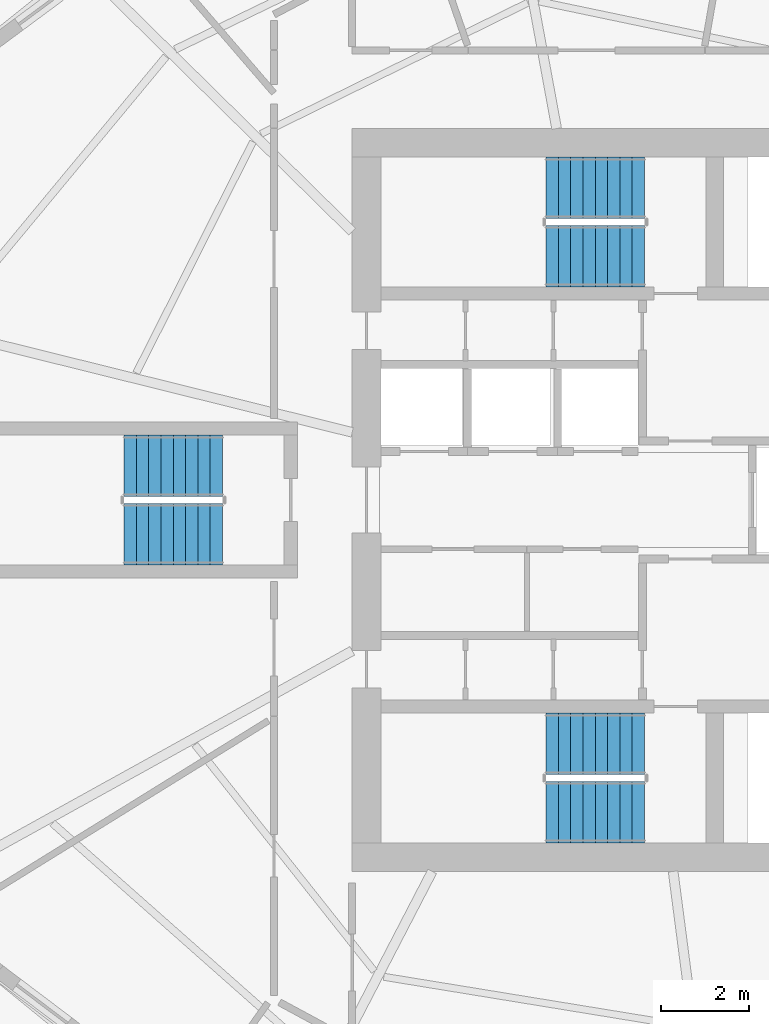
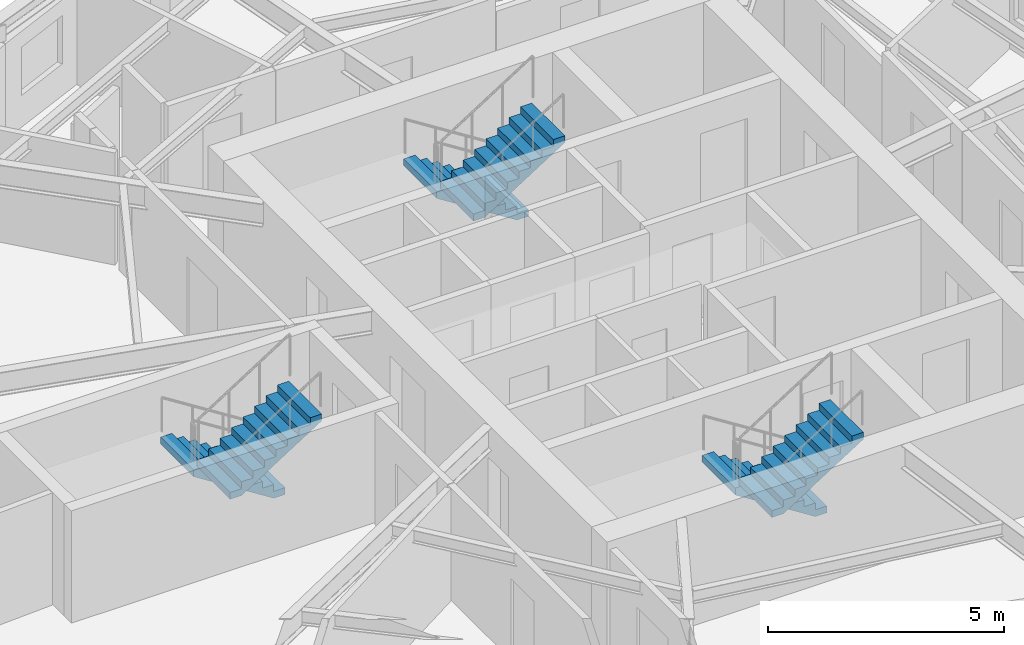
# One storey, part 8 of 12: 6 stair flights, 3 elements without a shape of their own.
"""IFC4 building model written with IfcOpenShell, lengths in metres."""

from ifc_helpers import new_model, si_unit, direction, frame, origin, place, context, subcontext, project, spatial, polyline, outline, extrude, source, transform, mapped, material, type_object, element, aggregate, save


model = new_model("IFC4")

# Units and contexts
model_context = context("Model", 3, precision=1e-05, world=origin(), true_north=direction((0.0, 1.0)))
body_context = subcontext(model_context, "Body", "Model", "MODEL_VIEW")
ifc_project = project(units=[si_unit("LENGTHUNIT", "METRE"), si_unit("AREAUNIT", "SQUARE_METRE"), si_unit("VOLUMEUNIT", "CUBIC_METRE"), si_unit("PLANEANGLEUNIT", "RADIAN"), si_unit("MASSUNIT", "GRAM", prefix="KILO")], contexts=[model_context])

# Site, building, storey
site_placement = place(None, origin())
site = spatial("IfcSite", under=ifc_project, at=site_placement, CompositionType="ELEMENT")
building_placement = place(site_placement, origin())
building = spatial("IfcBuilding", under=site, at=building_placement, Name="Qafzar Sky-Pleat Residences", CompositionType="ELEMENT")
storey_placement = place(building_placement, frame((0.0, 0.0, 187.39990234375)))
storey = spatial("IfcBuildingStorey", under=building, at=storey_placement, Name="L56", CompositionType="ELEMENT", Elevation=187.39990234375)

# Stair, stair flights
ifc_material = material(Name="Concrete C40/50", Category="concrete")
stair_type = type_object("IfcStairType", Name="STAIR-H320", PredefinedType="HALF_TURN_STAIR", material=ifc_material)
stair_1_placement = place(storey_placement, origin())
stair_1 = element("IfcStair", 1, at=stair_1_placement, inside=storey, type_object=stair_type, Name="L56 Protected Exit Stair ST1", PredefinedType="HALF_TURN_STAIR")
stair_flight_type = type_object("IfcStairFlightType", Name="FLIGHT-H320", PredefinedType="STRAIGHT", material=ifc_material)
shared_shape = source(origin(), body_context, "Body", "SweptSolid", [
    extrude(outline(polyline([(0.0, 0.0), (0.0, 0.177734375), (0.280029296875, 0.177734375), (0.280029296875, 0.35546875), (0.56005859375, 0.35546875), (0.56005859375, 0.533447265625), (0.840087890625, 0.533447265625), (0.840087890625, 0.711181640625), (1.1201171875, 0.711181640625), (1.1201171875, 0.888916015625), (1.39990234375, 0.888916015625), (1.39990234375, 1.066650390625), (1.679931640625, 1.066650390625), (1.679931640625, 1.244384765625), (1.9599609375, 1.244384765625), (1.9599609375, 1.422119140625), (2.239990234375, 1.422119140625), (2.239990234375, 1.60009765625), (2.239990234375, 1.24462890625), (0.27978515625, 0.0), (0.0, 0.0)])), frame((0.0, 0.699951171875, 0.0), z_axis=(0.0, -1.0, 0.0), x_axis=(1.0, 0.0, 0.0)), (0.0, 0.0, 1.0), 1.39990234375),
])
stair_flight_1_placement = place(storey_placement, frame((30.800048828125, 20.449951171875, 0.0), z_axis=(0.0, 0.0, 1.0), x_axis=(-1.0, 0.0, 0.0)))
stair_flight_1 = element("IfcStairFlight", 2, at=stair_flight_1_placement, type_object=stair_flight_type, Name="ST1 flight 1", NumberOfRisers=9, NumberOfTreads=8, PredefinedType="STRAIGHT", RiserHeight=0.177777778, TreadLength=0.28, context=body_context, shape_type="MappedRepresentation", body=[
    mapped(shared_shape, transform((0.0, 0.0, 0.0), x_axis=(1.0, 0.0, 0.0), y_axis=(0.0, 1.0, 0.0), z_axis=(0.0, 0.0, 1.0), scale=1.0)),
])
stair_flight_2_placement = place(storey_placement, frame((28.56005859375, 18.89990234375, 1.60009765625), z_axis=(0.0, 0.0, 1.0), x_axis=(1.0, 0.0, 0.0)))
stair_flight_2 = element("IfcStairFlight", 3, at=stair_flight_2_placement, type_object=stair_flight_type, Name="ST1 flight 2", NumberOfRisers=9, NumberOfTreads=8, PredefinedType="STRAIGHT", RiserHeight=0.177777778, TreadLength=0.28, context=body_context, shape_type="MappedRepresentation", body=[
    mapped(shared_shape, transform((0.0, 0.0, 0.0), x_axis=(1.0, 0.0, 0.0), y_axis=(0.0, 1.0, 0.0), z_axis=(0.0, 0.0, 1.0), scale=1.0)),
])
aggregate(stair_1, [stair_flight_1, stair_flight_2])

stair_2_placement = place(storey_placement, origin())
stair_2 = element("IfcStair", 4, at=stair_2_placement, inside=storey, type_object=stair_type, Name="L56 Protected Exit Stair ST2", PredefinedType="HALF_TURN_STAIR")
stair_flight_3_placement = place(storey_placement, frame((30.800048828125, 33.10009765625, 0.0), z_axis=(0.0, 0.0, 1.0), x_axis=(-1.0, 0.0, 0.0)))
stair_flight_3 = element("IfcStairFlight", 5, at=stair_flight_3_placement, type_object=stair_flight_type, Name="ST2 flight 1", NumberOfRisers=9, NumberOfTreads=8, PredefinedType="STRAIGHT", RiserHeight=0.177777778, TreadLength=0.28, context=body_context, shape_type="MappedRepresentation", body=[
    mapped(shared_shape, transform((0.0, 0.0, 0.0), x_axis=(1.0, 0.0, 0.0), y_axis=(0.0, 1.0, 0.0), z_axis=(0.0, 0.0, 1.0), scale=1.0)),
])
stair_flight_4_placement = place(storey_placement, frame((28.56005859375, 31.550048828125, 1.60009765625), z_axis=(0.0, 0.0, 1.0), x_axis=(1.0, 0.0, 0.0)))
stair_flight_4 = element("IfcStairFlight", 6, at=stair_flight_4_placement, type_object=stair_flight_type, Name="ST2 flight 2", NumberOfRisers=9, NumberOfTreads=8, PredefinedType="STRAIGHT", RiserHeight=0.177777778, TreadLength=0.28, context=body_context, shape_type="MappedRepresentation", body=[
    mapped(shared_shape, transform((0.0, 0.0, 0.0), x_axis=(1.0, 0.0, 0.0), y_axis=(0.0, 1.0, 0.0), z_axis=(0.0, 0.0, 1.0), scale=1.0)),
])
aggregate(stair_2, [stair_flight_3, stair_flight_4])

stair_3_placement = place(storey_placement, origin())
stair_3 = element("IfcStair", 7, at=stair_3_placement, inside=storey, type_object=stair_type, Name="L56 Protected Exit Stair ST3", PredefinedType="HALF_TURN_STAIR")
stair_flight_5_placement = place(storey_placement, frame((21.199951171875, 26.77490234375, 0.0), z_axis=(0.0, 0.0, 1.0), x_axis=(-1.0, 0.0, 0.0)))
stair_flight_5 = element("IfcStairFlight", 8, at=stair_flight_5_placement, type_object=stair_flight_type, Name="ST3 flight 1", NumberOfRisers=9, NumberOfTreads=8, PredefinedType="STRAIGHT", RiserHeight=0.177777778, TreadLength=0.28, context=body_context, shape_type="MappedRepresentation", body=[
    mapped(shared_shape, transform((0.0, 0.0, 0.0), x_axis=(1.0, 0.0, 0.0), y_axis=(0.0, 1.0, 0.0), z_axis=(0.0, 0.0, 1.0), scale=1.0)),
])
stair_flight_6_placement = place(storey_placement, frame((18.9599609375, 25.22509765625, 1.60009765625), z_axis=(0.0, 0.0, 1.0), x_axis=(1.0, 0.0, 0.0)))
stair_flight_6 = element("IfcStairFlight", 9, at=stair_flight_6_placement, type_object=stair_flight_type, Name="ST3 flight 2", NumberOfRisers=9, NumberOfTreads=8, PredefinedType="STRAIGHT", RiserHeight=0.177777778, TreadLength=0.28, context=body_context, shape_type="MappedRepresentation", body=[
    mapped(shared_shape, transform((0.0, 0.0, 0.0), x_axis=(1.0, 0.0, 0.0), y_axis=(0.0, 1.0, 0.0), z_axis=(0.0, 0.0, 1.0), scale=1.0)),
])
aggregate(stair_3, [stair_flight_5, stair_flight_6])

save(model, "model.ifc")
